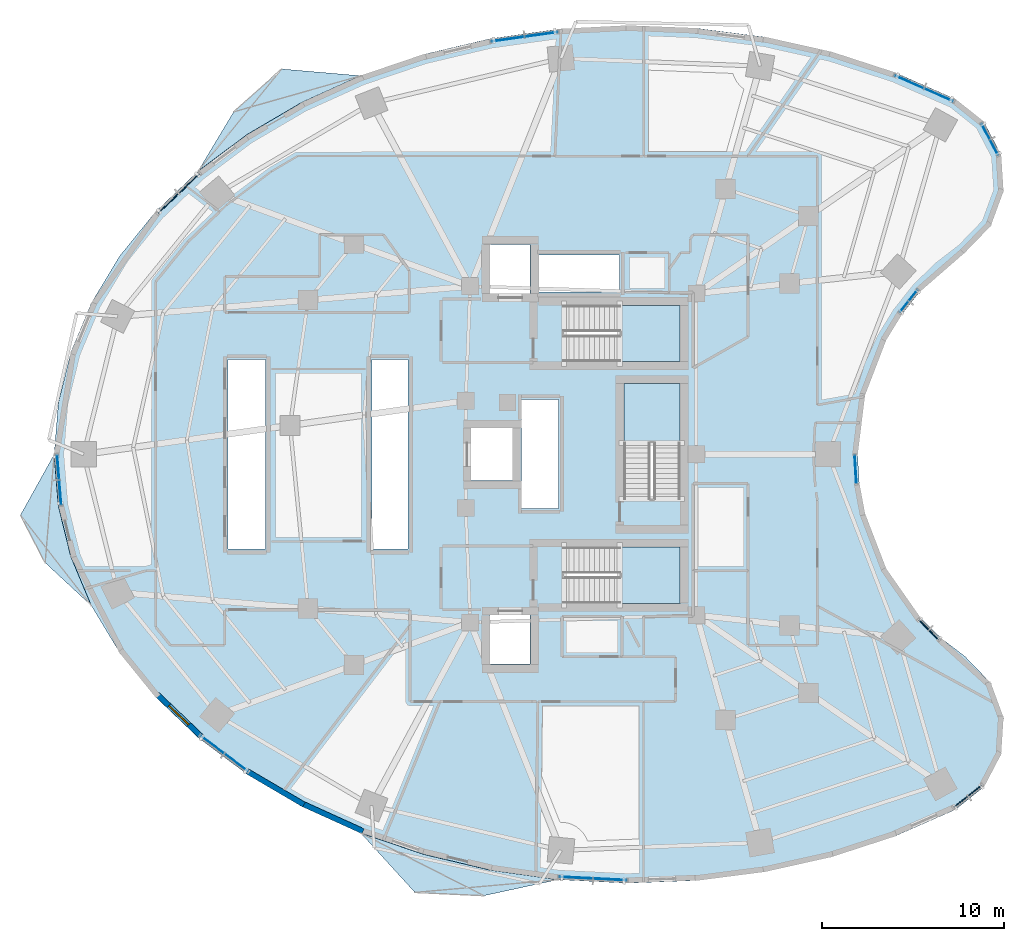
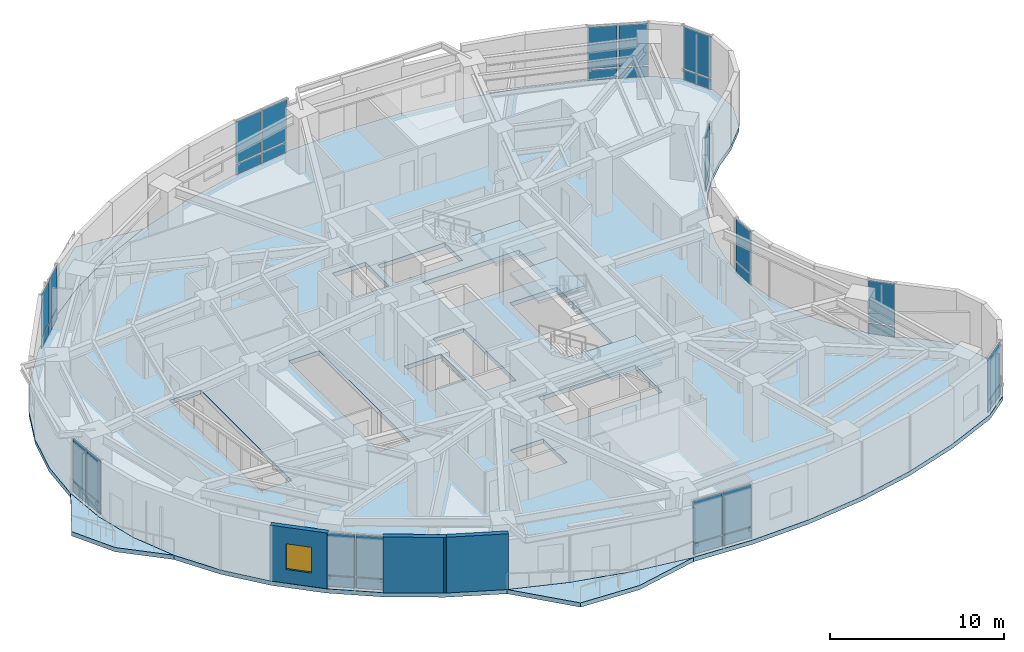
# One storey, part 7 of 15: 34 plates, 7 slabs, 3 walls, 1 window, 1 opening, 14 elements without a shape of their own.
"""IFC4 building model written with IfcOpenShell, lengths in metres."""

from ifc_helpers import new_model, si_unit, direction, frame, frame_2d, origin, origin_2d, place, context, subcontext, project, spatial, polyline, rectangle, outline, extrude, material, layer, layer_set, type_object, element, fill, aggregate, save


model = new_model("IFC4")

# Units and contexts
model_context = context("Model", 3, precision=1e-05, world=origin(), true_north=direction((0.0, 1.0)))
body_context = subcontext(model_context, "Body", "Model", "MODEL_VIEW")
ifc_project = project(units=[si_unit("LENGTHUNIT", "METRE"), si_unit("AREAUNIT", "SQUARE_METRE"), si_unit("VOLUMEUNIT", "CUBIC_METRE"), si_unit("PLANEANGLEUNIT", "RADIAN"), si_unit("MASSUNIT", "GRAM", prefix="KILO")], contexts=[model_context])

# Site, building, storey
site_placement = place(None, origin())
site = spatial("IfcSite", under=ifc_project, at=site_placement, CompositionType="ELEMENT")
building_placement = place(site_placement, origin())
building = spatial("IfcBuilding", under=site, at=building_placement, Name="Korentha Bioscience Tower", CompositionType="ELEMENT")
storey_placement = place(building_placement, frame((0.0, 0.0, 38.39990234375)))
storey = spatial("IfcBuildingStorey", under=building, at=storey_placement, Name="L08", CompositionType="ELEMENT", Elevation=38.39990234375)

# Curtain wall, plates
ifc_material_1 = material(Name="Thermally Broken Aluminium Frame", Category="aluminium")
ifc_layer_1 = layer(ifc_material_1, 0.219970703125, Name="Thermally Broken Aluminium Frame")
ifc_layer_set_1 = layer_set([ifc_layer_1], Name="Thermally Broken Aluminium Frame (CW-T2)")
curtain_wall_type_1 = type_object("IfcCurtainWallType", Name="Solar-Screened Lab Unitised Curtain Wall CW-T2", PredefinedType="USERDEFINED", material=ifc_layer_set_1)
curtain_wall_1_placement = place(storey_placement, origin())
curtain_wall_1 = element("IfcCurtainWall", 1, at=curtain_wall_1_placement, inside=storey, type_object=curtain_wall_type_1, Name="L08 Curtain Wall 01", ObjectType="UNITISED", PredefinedType="USERDEFINED")
ifc_material_2 = material(Name="Triple-Glazed Low-E Insulated Glass", Category="glass")
ifc_layer_2 = layer(ifc_material_2, 0.0439453125, Name="Triple-Glazed Low-E Insulated Glass")
ifc_layer_set_2 = layer_set([ifc_layer_2], Name="Triple-Glazed Low-E Insulated Glass (GL-44)")
plate_type = type_object("IfcPlateType", Name="Glazed Panel 44mm", PredefinedType="CURTAIN_PANEL", material=ifc_layer_set_2)
plate_1_placement = place(storey_placement, frame((50.893310546875, 46.780029296875, 0.08984375), z_axis=(0.0, 0.0, 1.0), x_axis=(-0.91593909057, 0.401317308828, 0.0)))
plate_1 = element("IfcPlate", 2, at=plate_1_placement, type_object=plate_type, Name="CW-L08-01 Bay 1 Glazed Panel 1", PredefinedType="CURTAIN_PANEL", context=body_context, shape_type="SweptSolid", body=[
    extrude(rectangle(XDim=1.701171875, YDim=0.0439453125, at=origin_2d()), origin(), (0.0, 0.0, 1.0), 0.715087890625),
])
plate_2_placement = place(storey_placement, frame((50.893310546875, 46.780029296875, 0.89501953125), z_axis=(0.0, 0.0, 1.0), x_axis=(-0.91593909057, 0.401317308828, 0.0)))
plate_2 = element("IfcPlate", 3, at=plate_2_placement, type_object=plate_type, Name="CW-L08-01 Bay 1 Glazed Panel 2", PredefinedType="CURTAIN_PANEL", context=body_context, shape_type="SweptSolid", body=[
    extrude(rectangle(XDim=1.701171875, YDim=0.0439453125, at=origin_2d()), origin(), (0.0, 0.0, 1.0), 2.9150390625),
])
plate_3_placement = place(storey_placement, frame((49.25244140625, 47.498779296875, 0.08984375), z_axis=(0.0, 0.0, 1.0), x_axis=(-0.91593909057, 0.401317308828, 0.0)))
plate_3 = element("IfcPlate", 4, at=plate_3_placement, type_object=plate_type, Name="CW-L08-01 Bay 2 Glazed Panel 1", PredefinedType="CURTAIN_PANEL", context=body_context, shape_type="SweptSolid", body=[
    extrude(rectangle(XDim=1.701171875, YDim=0.0439453125, at=origin_2d()), origin(), (0.0, 0.0, 1.0), 0.715087890625),
])
plate_4_placement = place(storey_placement, frame((49.25244140625, 47.498779296875, 0.89501953125), z_axis=(0.0, 0.0, 1.0), x_axis=(-0.91593909057, 0.401317308828, 0.0)))
plate_4 = element("IfcPlate", 5, at=plate_4_placement, type_object=plate_type, Name="CW-L08-01 Bay 2 Glazed Panel 2", PredefinedType="CURTAIN_PANEL", context=body_context, shape_type="SweptSolid", body=[
    extrude(rectangle(XDim=1.701171875, YDim=0.0439453125, at=origin_2d()), origin(), (0.0, 0.0, 1.0), 2.9150390625),
])
aggregate(curtain_wall_1, [plate_1, plate_2, plate_3, plate_4])

curtain_wall_2_placement = place(storey_placement, origin())
curtain_wall_2 = element("IfcCurtainWall", 6, at=curtain_wall_2_placement, inside=storey, type_object=curtain_wall_type_1, Name="L08 Curtain Wall 07", ObjectType="UNITISED", PredefinedType="USERDEFINED")
plate_5_placement = place(storey_placement, frame((29.0224609375, 50.11572265625, 0.08984375), z_axis=(0.0, 0.0, 1.0), x_axis=(-0.990167372968, -0.139887717511, 0.0)))
plate_5 = element("IfcPlate", 7, at=plate_5_placement, type_object=plate_type, Name="CW-L08-07 Bay 1 Glazed Panel 1", PredefinedType="CURTAIN_PANEL", context=body_context, shape_type="SweptSolid", body=[
    extrude(rectangle(XDim=1.800537109375, YDim=0.0439453125, at=origin_2d()), origin(), (0.0, 0.0, 1.0), 0.715087890625),
])
plate_6_placement = place(storey_placement, frame((29.0224609375, 50.11572265625, 0.89501953125), z_axis=(0.0, 0.0, 1.0), x_axis=(-0.990167372968, -0.139887717511, 0.0)))
plate_6 = element("IfcPlate", 8, at=plate_6_placement, type_object=plate_type, Name="CW-L08-07 Bay 1 Glazed Panel 2", PredefinedType="CURTAIN_PANEL", context=body_context, shape_type="SweptSolid", body=[
    extrude(rectangle(XDim=1.800537109375, YDim=0.0439453125, at=origin_2d()), origin(), (0.0, 0.0, 1.0), 2.9150390625),
])
plate_7_placement = place(storey_placement, frame((27.150634765625, 49.851318359375, 0.08984375), z_axis=(0.0, 0.0, 1.0), x_axis=(-0.990167372968, -0.139887717511, 0.0)))
plate_7 = element("IfcPlate", 9, at=plate_7_placement, type_object=plate_type, Name="CW-L08-07 Bay 2 Glazed Panel 1", PredefinedType="CURTAIN_PANEL", context=body_context, shape_type="SweptSolid", body=[
    extrude(rectangle(XDim=1.800537109375, YDim=0.0439453125, at=origin_2d()), origin(), (0.0, 0.0, 1.0), 0.715087890625),
])
plate_8_placement = place(storey_placement, frame((27.150634765625, 49.851318359375, 0.89501953125), z_axis=(0.0, 0.0, 1.0), x_axis=(-0.990167372968, -0.139887717511, 0.0)))
plate_8 = element("IfcPlate", 10, at=plate_8_placement, type_object=plate_type, Name="CW-L08-07 Bay 2 Glazed Panel 2", PredefinedType="CURTAIN_PANEL", context=body_context, shape_type="SweptSolid", body=[
    extrude(rectangle(XDim=1.800537109375, YDim=0.0439453125, at=origin_2d()), origin(), (0.0, 0.0, 1.0), 2.9150390625),
])
aggregate(curtain_wall_2, [plate_5, plate_6, plate_7, plate_8])

curtain_wall_3_placement = place(storey_placement, origin())
curtain_wall_3 = element("IfcCurtainWall", 11, at=curtain_wall_3_placement, inside=storey, type_object=curtain_wall_type_1, Name="L08 Curtain Wall 13", ObjectType="UNITISED", PredefinedType="USERDEFINED")
plate_9_placement = place(storey_placement, frame((9.643798828125, 41.9091796875, 0.08984375), z_axis=(0.0, 0.0, 1.0), x_axis=(-0.723641761581, -0.690175775361, 0.0)))
plate_9 = element("IfcPlate", 12, at=plate_9_placement, type_object=plate_type, Name="CW-L08-13 Bay 1 Glazed Panel 1", PredefinedType="CURTAIN_PANEL", context=body_context, shape_type="SweptSolid", body=[
    extrude(rectangle(XDim=1.5263671875, YDim=0.0439453125, at=origin_2d()), origin(), (0.0, 0.0, 1.0), 0.715087890625),
])
plate_10_placement = place(storey_placement, frame((9.643798828125, 41.9091796875, 0.89501953125), z_axis=(0.0, 0.0, 1.0), x_axis=(-0.723641761581, -0.690175775361, 0.0)))
plate_10 = element("IfcPlate", 13, at=plate_10_placement, type_object=plate_type, Name="CW-L08-13 Bay 1 Glazed Panel 2", PredefinedType="CURTAIN_PANEL", context=body_context, shape_type="SweptSolid", body=[
    extrude(rectangle(XDim=1.5263671875, YDim=0.0439453125, at=origin_2d()), origin(), (0.0, 0.0, 1.0), 2.9150390625),
])
plate_11_placement = place(storey_placement, frame((8.47412109375, 40.793701171875, 0.08984375), z_axis=(0.0, 0.0, 1.0), x_axis=(-0.723641761581, -0.690175775361, 0.0)))
plate_11 = element("IfcPlate", 14, at=plate_11_placement, type_object=plate_type, Name="CW-L08-13 Bay 2 Glazed Panel 1", PredefinedType="CURTAIN_PANEL", context=body_context, shape_type="SweptSolid", body=[
    extrude(rectangle(XDim=1.5263671875, YDim=0.0439453125, at=origin_2d()), origin(), (0.0, 0.0, 1.0), 0.715087890625),
])
plate_12_placement = place(storey_placement, frame((8.47412109375, 40.793701171875, 0.89501953125), z_axis=(0.0, 0.0, 1.0), x_axis=(-0.723641761581, -0.690175775361, 0.0)))
plate_12 = element("IfcPlate", 15, at=plate_12_placement, type_object=plate_type, Name="CW-L08-13 Bay 2 Glazed Panel 2", PredefinedType="CURTAIN_PANEL", context=body_context, shape_type="SweptSolid", body=[
    extrude(rectangle(XDim=1.5263671875, YDim=0.0439453125, at=origin_2d()), origin(), (0.0, 0.0, 1.0), 2.9150390625),
])
aggregate(curtain_wall_3, [plate_9, plate_10, plate_11, plate_12])

curtain_wall_4_placement = place(storey_placement, origin())
curtain_wall_4 = element("IfcCurtainWall", 16, at=curtain_wall_4_placement, inside=storey, type_object=curtain_wall_type_1, Name="L08 Curtain Wall 19", ObjectType="UNITISED", PredefinedType="USERDEFINED")
plate_13_placement = place(storey_placement, frame((2.4169921875, 26.302734375, 0.08984375), z_axis=(0.0, 0.0, 1.0), x_axis=(0.080820466375, -0.996728675325, 0.0)))
plate_13 = element("IfcPlate", 17, at=plate_13_placement, type_object=plate_type, Name="CW-L08-19 Bay 1 Glazed Panel 1", PredefinedType="CURTAIN_PANEL", context=body_context, shape_type="SweptSolid", body=[
    extrude(rectangle(XDim=1.324951171875, YDim=0.0439453125, at=origin_2d()), origin(), (0.0, 0.0, 1.0), 0.715087890625),
])
plate_14_placement = place(storey_placement, frame((2.4169921875, 26.302734375, 0.89501953125), z_axis=(0.0, 0.0, 1.0), x_axis=(0.080820466375, -0.996728675325, 0.0)))
plate_14 = element("IfcPlate", 18, at=plate_14_placement, type_object=plate_type, Name="CW-L08-19 Bay 1 Glazed Panel 2", PredefinedType="CURTAIN_PANEL", context=body_context, shape_type="SweptSolid", body=[
    extrude(rectangle(XDim=1.324951171875, YDim=0.0439453125, at=origin_2d()), origin(), (0.0, 0.0, 1.0), 2.9150390625),
])
plate_15_placement = place(storey_placement, frame((2.531494140625, 24.892333984375, 0.08984375), z_axis=(0.0, 0.0, 1.0), x_axis=(0.080820466375, -0.996728675325, 0.0)))
plate_15 = element("IfcPlate", 19, at=plate_15_placement, type_object=plate_type, Name="CW-L08-19 Bay 2 Glazed Panel 1", PredefinedType="CURTAIN_PANEL", context=body_context, shape_type="SweptSolid", body=[
    extrude(rectangle(XDim=1.324951171875, YDim=0.0439453125, at=origin_2d()), origin(), (0.0, 0.0, 1.0), 0.715087890625),
])
plate_16_placement = place(storey_placement, frame((2.531494140625, 24.892333984375, 0.89501953125), z_axis=(0.0, 0.0, 1.0), x_axis=(0.080820466375, -0.996728675325, 0.0)))
plate_16 = element("IfcPlate", 20, at=plate_16_placement, type_object=plate_type, Name="CW-L08-19 Bay 2 Glazed Panel 2", PredefinedType="CURTAIN_PANEL", context=body_context, shape_type="SweptSolid", body=[
    extrude(rectangle(XDim=1.324951171875, YDim=0.0439453125, at=origin_2d()), origin(), (0.0, 0.0, 1.0), 2.9150390625),
])
aggregate(curtain_wall_4, [plate_13, plate_14, plate_15, plate_16])

curtain_wall_5_placement = place(storey_placement, origin())
curtain_wall_5 = element("IfcCurtainWall", 21, at=curtain_wall_5_placement, inside=storey, type_object=curtain_wall_type_1, Name="L08 Curtain Wall 25", ObjectType="UNITISED", PredefinedType="USERDEFINED")
plate_17_placement = place(storey_placement, frame((10.892578125, 11.037109375, 0.08984375), z_axis=(0.0, 0.0, 1.0), x_axis=(0.800797909614, -0.598934644145, 0.0)))
plate_17 = element("IfcPlate", 22, at=plate_17_placement, type_object=plate_type, Name="CW-L08-25 Bay 1 Glazed Panel 1", PredefinedType="CURTAIN_PANEL", context=body_context, shape_type="SweptSolid", body=[
    extrude(rectangle(XDim=1.58544921875, YDim=0.0439453125, at=origin_2d()), origin(), (0.0, 0.0, 1.0), 0.715087890625),
])
plate_18_placement = place(storey_placement, frame((10.892578125, 11.037109375, 0.89501953125), z_axis=(0.0, 0.0, 1.0), x_axis=(0.800797909614, -0.598934644145, 0.0)))
plate_18 = element("IfcPlate", 23, at=plate_18_placement, type_object=plate_type, Name="CW-L08-25 Bay 1 Glazed Panel 2", PredefinedType="CURTAIN_PANEL", context=body_context, shape_type="SweptSolid", body=[
    extrude(rectangle(XDim=1.58544921875, YDim=0.0439453125, at=origin_2d()), origin(), (0.0, 0.0, 1.0), 2.9150390625),
])
plate_19_placement = place(storey_placement, frame((12.234375, 10.033447265625, 0.08984375), z_axis=(0.0, 0.0, 1.0), x_axis=(0.800797909614, -0.598934644145, 0.0)))
plate_19 = element("IfcPlate", 24, at=plate_19_placement, type_object=plate_type, Name="CW-L08-25 Bay 2 Glazed Panel 1", PredefinedType="CURTAIN_PANEL", context=body_context, shape_type="SweptSolid", body=[
    extrude(rectangle(XDim=1.58544921875, YDim=0.0439453125, at=origin_2d()), origin(), (0.0, 0.0, 1.0), 0.715087890625),
])
plate_20_placement = place(storey_placement, frame((12.234375, 10.033447265625, 0.89501953125), z_axis=(0.0, 0.0, 1.0), x_axis=(0.800797909614, -0.598934644145, 0.0)))
plate_20 = element("IfcPlate", 25, at=plate_20_placement, type_object=plate_type, Name="CW-L08-25 Bay 2 Glazed Panel 2", PredefinedType="CURTAIN_PANEL", context=body_context, shape_type="SweptSolid", body=[
    extrude(rectangle(XDim=1.58544921875, YDim=0.0439453125, at=origin_2d()), origin(), (0.0, 0.0, 1.0), 2.9150390625),
])
aggregate(curtain_wall_5, [plate_17, plate_18, plate_19, plate_20])

curtain_wall_6_placement = place(storey_placement, origin())
curtain_wall_6 = element("IfcCurtainWall", 26, at=curtain_wall_6_placement, inside=storey, type_object=curtain_wall_type_1, Name="L08 Curtain Wall 31", ObjectType="UNITISED", PredefinedType="USERDEFINED")
plate_21_placement = place(storey_placement, frame((30.90478515625, 3.70458984375, 0.08984375), z_axis=(0.0, 0.0, 1.0), x_axis=(0.998730551641, -0.050371472279, 0.0)))
plate_21 = element("IfcPlate", 27, at=plate_21_placement, type_object=plate_type, Name="CW-L08-31 Bay 1 Glazed Panel 1", PredefinedType="CURTAIN_PANEL", context=body_context, shape_type="SweptSolid", body=[
    extrude(rectangle(XDim=1.8134765625, YDim=0.0439453125, at=origin_2d()), origin(), (0.0, 0.0, 1.0), 0.715087890625),
])
plate_22_placement = place(storey_placement, frame((30.90478515625, 3.70458984375, 0.89501953125), z_axis=(0.0, 0.0, 1.0), x_axis=(0.998730551641, -0.050371472279, 0.0)))
plate_22 = element("IfcPlate", 28, at=plate_22_placement, type_object=plate_type, Name="CW-L08-31 Bay 1 Glazed Panel 2", PredefinedType="CURTAIN_PANEL", context=body_context, shape_type="SweptSolid", body=[
    extrude(rectangle(XDim=1.8134765625, YDim=0.0439453125, at=origin_2d()), origin(), (0.0, 0.0, 1.0), 2.9150390625),
])
plate_23_placement = place(storey_placement, frame((32.805908203125, 3.608642578125, 0.08984375), z_axis=(0.0, 0.0, 1.0), x_axis=(0.998730551641, -0.050371472279, 0.0)))
plate_23 = element("IfcPlate", 29, at=plate_23_placement, type_object=plate_type, Name="CW-L08-31 Bay 2 Glazed Panel 1", PredefinedType="CURTAIN_PANEL", context=body_context, shape_type="SweptSolid", body=[
    extrude(rectangle(XDim=1.8134765625, YDim=0.0439453125, at=origin_2d()), origin(), (0.0, 0.0, 1.0), 0.715087890625),
])
plate_24_placement = place(storey_placement, frame((32.805908203125, 3.608642578125, 0.89501953125), z_axis=(0.0, 0.0, 1.0), x_axis=(0.998730551641, -0.050371472279, 0.0)))
plate_24 = element("IfcPlate", 30, at=plate_24_placement, type_object=plate_type, Name="CW-L08-31 Bay 2 Glazed Panel 2", PredefinedType="CURTAIN_PANEL", context=body_context, shape_type="SweptSolid", body=[
    extrude(rectangle(XDim=1.8134765625, YDim=0.0439453125, at=origin_2d()), origin(), (0.0, 0.0, 1.0), 2.9150390625),
])
aggregate(curtain_wall_6, [plate_21, plate_22, plate_23, plate_24])

curtain_wall_7_placement = place(storey_placement, origin())
curtain_wall_7 = element("IfcCurtainWall", 31, at=curtain_wall_7_placement, inside=storey, type_object=curtain_wall_type_1, Name="L08 Curtain Wall 37", ObjectType="UNITISED", PredefinedType="USERDEFINED")
plate_25_placement = place(storey_placement, frame((52.4755859375, 8.19140625, 0.08984375), z_axis=(0.0, 0.0, 1.0), x_axis=(0.782287851332, 0.62291710336, 0.0)))
plate_25 = element("IfcPlate", 32, at=plate_25_placement, type_object=plate_type, Name="CW-L08-37 Bay 1 Glazed Panel 1", PredefinedType="CURTAIN_PANEL", context=body_context, shape_type="SweptSolid", body=[
    extrude(rectangle(XDim=1.927734375, YDim=0.0439453125, at=origin_2d()), origin(), (0.0, 0.0, 1.0), 0.715087890625),
])
plate_26_placement = place(storey_placement, frame((52.4755859375, 8.19140625, 0.89501953125), z_axis=(0.0, 0.0, 1.0), x_axis=(0.782287851332, 0.62291710336, 0.0)))
plate_26 = element("IfcPlate", 33, at=plate_26_placement, type_object=plate_type, Name="CW-L08-37 Bay 1 Glazed Panel 2", PredefinedType="CURTAIN_PANEL", context=body_context, shape_type="SweptSolid", body=[
    extrude(rectangle(XDim=1.927734375, YDim=0.0439453125, at=origin_2d()), origin(), (0.0, 0.0, 1.0), 2.9150390625),
])
aggregate(curtain_wall_7, [plate_25, plate_26])

curtain_wall_8_placement = place(storey_placement, origin())
curtain_wall_8 = element("IfcCurtainWall", 34, at=curtain_wall_8_placement, inside=storey, type_object=curtain_wall_type_1, Name="L08 Curtain Wall 43", ObjectType="UNITISED", PredefinedType="USERDEFINED")
plate_27_placement = place(storey_placement, frame((50.333251953125, 17.335693359375, 0.08984375), z_axis=(0.0, 0.0, 1.0), x_axis=(-0.713279246754, 0.700879958445, 0.0)))
plate_27 = element("IfcPlate", 35, at=plate_27_placement, type_object=plate_type, Name="CW-L08-43 Bay 1 Glazed Panel 1", PredefinedType="CURTAIN_PANEL", context=body_context, shape_type="SweptSolid", body=[
    extrude(rectangle(XDim=1.537841796875, YDim=0.0439453125, at=origin_2d()), origin(), (0.0, 0.0, 1.0), 0.715087890625),
])
plate_28_placement = place(storey_placement, frame((50.333251953125, 17.335693359375, 0.89501953125), z_axis=(0.0, 0.0, 1.0), x_axis=(-0.713279246754, 0.700879958445, 0.0)))
plate_28 = element("IfcPlate", 36, at=plate_28_placement, type_object=plate_type, Name="CW-L08-43 Bay 1 Glazed Panel 2", PredefinedType="CURTAIN_PANEL", context=body_context, shape_type="SweptSolid", body=[
    extrude(rectangle(XDim=1.537841796875, YDim=0.0439453125, at=origin_2d()), origin(), (0.0, 0.0, 1.0), 2.9150390625),
])
aggregate(curtain_wall_8, [plate_27, plate_28])

ifc_layer_3 = layer(ifc_material_1, 0.219970703125, Name="Thermally Broken Aluminium Frame")
ifc_layer_set_3 = layer_set([ifc_layer_3], Name="Thermally Broken Aluminium Frame (CW-T1)")
curtain_wall_type_2 = type_object("IfcCurtainWallType", Name="Standard Bioscience Lab Unitised Curtain Wall CW-T1", PredefinedType="USERDEFINED", material=ifc_layer_set_3)
curtain_wall_9_placement = place(storey_placement, origin())
curtain_wall_9 = element("IfcCurtainWall", 37, at=curtain_wall_9_placement, inside=storey, type_object=curtain_wall_type_2, Name="L08 Curtain Wall 49", ObjectType="UNITISED", PredefinedType="USERDEFINED")
plate_29_placement = place(storey_placement, frame((46.305908203125, 26.1728515625, 0.08984375), z_axis=(0.0, 0.0, 1.0), x_axis=(-0.061008272998, 0.998137260413, 0.0)))
plate_29 = element("IfcPlate", 38, at=plate_29_placement, type_object=plate_type, Name="CW-L08-49 Bay 1 Glazed Panel 1", PredefinedType="CURTAIN_PANEL", context=body_context, shape_type="SweptSolid", body=[
    extrude(rectangle(XDim=1.537841796875, YDim=0.0439453125, at=origin_2d()), origin(), (0.0, 0.0, 1.0), 0.715087890625),
])
plate_30_placement = place(storey_placement, frame((46.305908203125, 26.1728515625, 0.89501953125), z_axis=(0.0, 0.0, 1.0), x_axis=(-0.061008272998, 0.998137260413, 0.0)))
plate_30 = element("IfcPlate", 39, at=plate_30_placement, type_object=plate_type, Name="CW-L08-49 Bay 1 Glazed Panel 2", PredefinedType="CURTAIN_PANEL", context=body_context, shape_type="SweptSolid", body=[
    extrude(rectangle(XDim=1.537841796875, YDim=0.0439453125, at=origin_2d()), origin(), (0.0, 0.0, 1.0), 2.9150390625),
])
aggregate(curtain_wall_9, [plate_29, plate_30])

curtain_wall_10_placement = place(storey_placement, origin())
curtain_wall_10 = element("IfcCurtainWall", 40, at=curtain_wall_10_placement, inside=storey, type_object=curtain_wall_type_1, Name="L08 Curtain Wall 55", ObjectType="UNITISED", PredefinedType="USERDEFINED")
plate_31_placement = place(storey_placement, frame((49.226318359375, 35.434814453125, 0.08984375), z_axis=(0.0, 0.0, 1.0), x_axis=(0.622520324648, 0.782603632371, 0.0)))
plate_31 = element("IfcPlate", 41, at=plate_31_placement, type_object=plate_type, Name="CW-L08-55 Bay 1 Glazed Panel 1", PredefinedType="CURTAIN_PANEL", context=body_context, shape_type="SweptSolid", body=[
    extrude(rectangle(XDim=1.537841796875, YDim=0.0439453125, at=origin_2d()), origin(), (0.0, 0.0, 1.0), 0.715087890625),
])
plate_32_placement = place(storey_placement, frame((49.226318359375, 35.434814453125, 0.89501953125), z_axis=(0.0, 0.0, 1.0), x_axis=(0.622520324648, 0.782603632371, 0.0)))
plate_32 = element("IfcPlate", 42, at=plate_32_placement, type_object=plate_type, Name="CW-L08-55 Bay 1 Glazed Panel 2", PredefinedType="CURTAIN_PANEL", context=body_context, shape_type="SweptSolid", body=[
    extrude(rectangle(XDim=1.537841796875, YDim=0.0439453125, at=origin_2d()), origin(), (0.0, 0.0, 1.0), 2.9150390625),
])
aggregate(curtain_wall_10, [plate_31, plate_32])

curtain_wall_11_placement = place(storey_placement, origin())
curtain_wall_11 = element("IfcCurtainWall", 43, at=curtain_wall_11_placement, inside=storey, type_object=curtain_wall_type_1, Name="L08 Curtain Wall 61", ObjectType="UNITISED", PredefinedType="USERDEFINED")
plate_33_placement = place(storey_placement, frame((53.6962890625, 44.32958984375, 0.08984375), z_axis=(0.0, 0.0, 1.0), x_axis=(-0.463008597697, 0.886353788539, 0.0)))
plate_33 = element("IfcPlate", 44, at=plate_33_placement, type_object=plate_type, Name="CW-L08-61 Bay 1 Glazed Panel 1", PredefinedType="CURTAIN_PANEL", context=body_context, shape_type="SweptSolid", body=[
    extrude(rectangle(XDim=1.927734375, YDim=0.0439453125, at=origin_2d()), origin(), (0.0, 0.0, 1.0), 0.715087890625),
])
plate_34_placement = place(storey_placement, frame((53.6962890625, 44.32958984375, 0.89501953125), z_axis=(0.0, 0.0, 1.0), x_axis=(-0.463008597697, 0.886353788539, 0.0)))
plate_34 = element("IfcPlate", 45, at=plate_34_placement, type_object=plate_type, Name="CW-L08-61 Bay 1 Glazed Panel 2", PredefinedType="CURTAIN_PANEL", context=body_context, shape_type="SweptSolid", body=[
    extrude(rectangle(XDim=1.927734375, YDim=0.0439453125, at=origin_2d()), origin(), (0.0, 0.0, 1.0), 2.9150390625),
])
aggregate(curtain_wall_11, [plate_33, plate_34])

# Slab
ifc_material_3 = material(Name="Concrete C50", Category="concrete")
ifc_layer_4 = layer(ifc_material_3, 0.300048828125, Name="Concrete C50")
ifc_layer_set_4 = layer_set([ifc_layer_4], Name="Concrete C50 (SL-L300)")
slab_type_1 = type_object("IfcSlabType", Name="Laboratory Vibration-Controlled Slab 300", PredefinedType="FLOOR", material=ifc_layer_set_4)
slab_1_placement = place(storey_placement, frame((0.0, 0.0, -0.2998046875)))
element("IfcSlab", 46, at=slab_1_placement, inside=storey, type_object=slab_type_1, Name="L08 Tower Structural Floor Slab", PredefinedType="FLOOR", context=body_context, shape_type="SweptSolid", body=[
    extrude(outline(polyline([(51.7822265625, 46.565185546875), (48.49169921875, 48.0068359375), (44.9921875, 49.145263671875), (41.33349609375, 49.9638671875), (37.569091796875, 50.450927734375), (33.75341796875, 50.599365234375), (29.94091796875, 50.406982421875), (26.187255859375, 49.876708984375), (22.54638671875, 49.01611328125), (19.07080078125, 47.837646484375), (15.810791015625, 46.358154296875), (12.8134765625, 44.599365234375), (10.1220703125, 42.58642578125), (7.775390625, 40.348388671875), (5.807373046875, 37.91748046875), (4.246337890625, 35.3291015625), (3.114990234375, 32.62060546875), (2.4296875, 29.830810546875), (2.199951171875, 27.0), (2.4296875, 24.169189453125), (3.114990234375, 21.37939453125), (4.246337890625, 18.6708984375), (5.807373046875, 16.08251953125), (7.775390625, 13.651611328125), (10.1220703125, 11.41357421875), (12.8134765625, 9.400634765625), (15.810791015625, 7.641845703125), (19.07080078125, 6.162353515625), (22.54638671875, 4.98388671875), (26.187255859375, 4.123291015625), (29.94091796875, 3.593017578125), (33.75341796875, 3.400634765625), (37.569091796875, 3.549072265625), (41.33349609375, 4.0361328125), (44.9921875, 4.854736328125), (48.49169921875, 5.9931640625), (51.7822265625, 7.434814453125), (53.368408203125, 8.69775390625), (54.307373046875, 10.4951171875), (54.4384765625, 12.518310546875), (53.739013671875, 14.421630859375), (52.3291015625, 15.878662109375), (51.029541015625, 16.875732421875), (49.861328125, 18.023681640625), (48.841796875, 19.3056640625), (47.98583984375, 20.7021484375), (47.306640625, 22.192626953125), (46.814208984375, 23.754638671875), (46.515625, 25.365234375), (46.415771484375, 27.0), (46.515625, 28.634765625), (46.814208984375, 30.245361328125), (47.306640625, 31.807373046875), (47.98583984375, 33.2978515625), (48.841796875, 34.6943359375), (49.861328125, 35.976318359375), (51.029541015625, 37.124267578125), (52.3291015625, 38.121337890625), (53.739013671875, 39.578369140625), (54.4384765625, 41.481689453125), (54.307373046875, 43.5048828125), (53.368408203125, 45.30224609375), (51.7822265625, 46.565185546875)]), holes=[polyline([(30.25, 32.10009765625), (36.64990234375, 32.10009765625), (36.64990234375, 35.199951171875), (30.25, 35.199951171875), (30.25, 32.10009765625)]), polyline([(30.25, 18.800048828125), (36.64990234375, 18.800048828125), (36.64990234375, 21.89990234375), (30.25, 21.89990234375), (30.25, 18.800048828125)]), polyline([(36.64990234375, 24.550048828125), (36.64990234375, 30.89990234375), (33.550048828125, 30.89990234375), (33.550048828125, 24.550048828125), (36.64990234375, 24.550048828125)]), polyline([(11.780029296875, 21.780029296875), (13.820068359375, 21.780029296875), (13.820068359375, 32.219970703125), (11.780029296875, 32.219970703125), (11.780029296875, 21.780029296875)]), polyline([(19.679931640625, 21.780029296875), (21.669921875, 21.780029296875), (21.669921875, 32.219970703125), (19.679931640625, 32.219970703125), (19.679931640625, 21.780029296875)]), polyline([(27.929931640625, 24.030029296875), (29.969970703125, 24.030029296875), (29.969970703125, 30.02001953125), (27.929931640625, 30.02001953125), (27.929931640625, 24.030029296875)]), polyline([(28.860107421875, 35.93994140625), (33.31005859375, 35.93994140625), (33.31005859375, 37.9599609375), (28.860107421875, 37.9599609375), (28.860107421875, 35.93994140625)]), polyline([(26.199951171875, 15.449951171875), (28.39990234375, 15.449951171875), (28.39990234375, 18.14990234375), (26.199951171875, 18.14990234375), (26.199951171875, 15.449951171875)]), polyline([(26.199951171875, 35.85009765625), (28.39990234375, 35.85009765625), (28.39990234375, 38.550048828125), (26.199951171875, 38.550048828125), (26.199951171875, 35.85009765625)]), polyline([(25.14990234375, 25.550048828125), (27.550048828125, 25.550048828125), (27.550048828125, 28.449951171875), (25.14990234375, 28.449951171875), (25.14990234375, 25.550048828125)])]), origin(), (0.0, 0.0, 1.0), 0.2998046875),
])

# Stair, slab
ifc_material_4 = material(Name="Precast Concrete C50", Category="concrete")
stair_type = type_object("IfcStairType", Name="Core Exit Dog-Leg Stair 1450", PredefinedType="HALF_TURN_STAIR", material=ifc_material_4)
stair_1_placement = place(storey_placement, origin())
stair_1 = element("IfcStair", 47, at=stair_1_placement, inside=storey, type_object=stair_type, Name="L08 Tower North Pressurized Exit Stair ST-1", PredefinedType="HALF_TURN_STAIR")
ifc_layer_5 = layer(ifc_material_3, 0.199951171875, Name="Concrete C50")
ifc_layer_set_5 = layer_set([ifc_layer_5], Name="Concrete C50 (SL-LND)")
slab_type_2 = type_object("IfcSlabType", Name="Landing Slab 200", PredefinedType="LANDING", material=ifc_layer_set_5)
slab_2_placement = place(storey_placement, frame((0.0, 0.0, 1.900146484375)))
slab_2 = element("IfcSlab", 48, at=slab_2_placement, type_object=slab_type_2, Name="ST-1 landing 1", PredefinedType="LANDING", context=body_context, shape_type="SweptSolid", body=[
    extrude(outline(polyline([(33.330078125, 32.10009765625), (36.64990234375, 32.10009765625), (36.64990234375, 35.199951171875), (33.330078125, 35.199951171875), (33.330078125, 32.10009765625)])), origin(), (0.0, 0.0, 1.0), 0.199951171875),
])
aggregate(stair_1, [slab_2])

stair_2_placement = place(storey_placement, origin())
stair_2 = element("IfcStair", 49, at=stair_2_placement, inside=storey, type_object=stair_type, Name="L08 Tower South Pressurized Exit Stair ST-2", PredefinedType="HALF_TURN_STAIR")
slab_3_placement = place(storey_placement, frame((0.0, 0.0, 1.900146484375)))
slab_3 = element("IfcSlab", 50, at=slab_3_placement, type_object=slab_type_2, Name="ST-2 landing 1", PredefinedType="LANDING", context=body_context, shape_type="SweptSolid", body=[
    extrude(outline(polyline([(33.330078125, 18.800048828125), (36.64990234375, 18.800048828125), (36.64990234375, 21.89990234375), (33.330078125, 21.89990234375), (33.330078125, 18.800048828125)])), origin(), (0.0, 0.0, 1.0), 0.199951171875),
])
aggregate(stair_2, [slab_3])

stair_3_placement = place(storey_placement, origin())
stair_3 = element("IfcStair", 51, at=stair_3_placement, inside=storey, type_object=stair_type, Name="L08 Tower Central Pressurized Exit Stair ST-3", PredefinedType="HALF_TURN_STAIR")
slab_4_placement = place(storey_placement, frame((0.0, 0.0, 1.900146484375)))
slab_4 = element("IfcSlab", 52, at=slab_4_placement, type_object=slab_type_2, Name="ST-3 landing 1", PredefinedType="LANDING", context=body_context, shape_type="SweptSolid", body=[
    extrude(outline(polyline([(36.64990234375, 27.6298828125), (36.64990234375, 30.89990234375), (33.550048828125, 30.89990234375), (33.550048828125, 27.6298828125), (36.64990234375, 27.6298828125)])), origin(), (0.0, 0.0, 1.0), 0.199951171875),
])
aggregate(stair_3, [slab_4])

# Slabs
ifc_layer_6 = layer(ifc_material_3, 0.300048828125, Name="Concrete C50")
ifc_layer_set_6 = layer_set([ifc_layer_6], Name="Concrete C50 (BS-240)")
slab_type_3 = type_object("IfcSlabType", Name="Sawtooth Sun-Ledge Balcony Slab 240", PredefinedType="USERDEFINED", material=ifc_layer_set_6)
slab_5_placement = place(storey_placement, frame((0.0, 0.0, -0.2998046875)))
element("IfcSlab", 53, at=slab_5_placement, inside=storey, type_object=slab_type_3, Name="L08 Sun-Ledge Balcony 01", ObjectType="BALCONY", PredefinedType="USERDEFINED", context=body_context, shape_type="SweptSolid", body=[
    extrude(outline(polyline([(10.1220703125, 42.58642578125), (12.8134765625, 44.599365234375), (15.810791015625, 46.358154296875), (19.07080078125, 47.837646484375), (14.72265625, 48.21240234375), (12.07958984375, 45.849853515625), (10.1220703125, 42.58642578125)])), origin(), (0.0, 0.0, 1.0), 0.2998046875),
])
slab_6_placement = place(storey_placement, frame((0.0, 0.0, -0.2998046875)))
element("IfcSlab", 54, at=slab_6_placement, inside=storey, type_object=slab_type_3, Name="L08 Sun-Ledge Balcony 02", ObjectType="BALCONY", PredefinedType="USERDEFINED", context=body_context, shape_type="SweptSolid", body=[
    extrude(outline(polyline([(4.246337890625, 18.6708984375), (3.114990234375, 21.37939453125), (2.4296875, 24.169189453125), (2.199951171875, 27.0), (0.341796875, 23.65625), (1.706787109375, 21.03369140625), (4.246337890625, 18.6708984375)])), origin(), (0.0, 0.0, 1.0), 0.2998046875),
])
slab_7_placement = place(storey_placement, frame((0.0, 0.0, -0.2998046875)))
element("IfcSlab", 55, at=slab_7_placement, inside=storey, type_object=slab_type_3, Name="L08 Sun-Ledge Balcony 03", ObjectType="BALCONY", PredefinedType="USERDEFINED", context=body_context, shape_type="SweptSolid", body=[
    extrude(outline(polyline([(29.94091796875, 3.593017578125), (26.187255859375, 4.123291015625), (22.54638671875, 4.98388671875), (19.07080078125, 6.162353515625), (22.0517578125, 2.8916015625), (25.853759765625, 2.712158203125), (29.94091796875, 3.593017578125)])), origin(), (0.0, 0.0, 1.0), 0.2998046875),
])

# Wall, opening, window
ifc_material_5 = material(Name="Honed Limestone Precast Concrete C40", Category="masonry")
ifc_layer_7 = layer(ifc_material_5, 0.300048828125, Name="Honed Limestone Precast Concrete C40")
ifc_layer_set_7 = layer_set([ifc_layer_7], Name="Honed Limestone Precast Concrete C40 (EW-ST300)")
wall_type = type_object("IfcWallType", Name="Honed Limestone Cavity Spandrel Wall 300", PredefinedType="STANDARD", material=ifc_layer_set_7)
wall_1_placement = place(storey_placement, frame((7.84228515625, 13.808837890625, 0.0), z_axis=(0.0, 0.0, 1.0), x_axis=(0.723678516117, -0.690137236578, 0.0)))
wall_1 = element("IfcWall", 56, at=wall_1_placement, inside=storey, type_object=wall_type, Name="L08 Honed Limestone Spandrel Wall 24", PredefinedType="STANDARD", context=body_context, shape_type="SweptSolid", body=[
    extrude(rectangle(XDim=3.36279296875, YDim=0.300048828125, at=frame_2d((1.681396484375, 0.0))), origin(), (0.0, 0.0, 1.0), 3.900146484375),
])
opening_placement = place(wall_1_placement, frame((0.931396484375, 0.0, 0.949951171875)))
opening = element("IfcOpeningElement", 57, at=opening_placement, cuts=wall_1, Name="Opening WN-02", PredefinedType="OPENING", context=body_context, shape_type="SweptSolid", body=[
    extrude(rectangle(XDim=1.5, YDim=1.800048828125, at=frame_2d((0.75, 0.89990234375))), frame((0.0, 0.1650390625, 0.0), z_axis=(0.0, -1.0, 0.0), x_axis=(1.0, 0.0, 0.0)), (0.0, 0.0, 1.0), 0.329833984375),
])
ifc_material_6 = material(Name="Thermally Broken Aluminium Triple Glazing", Category="aluminium")
window_type = type_object("IfcWindowType", Name="Acoustic Operable Office Window 1500x1800", PartitioningType="DOUBLE_PANEL_VERTICAL", PredefinedType="WINDOW", material=ifc_material_6)
window_placement = place(opening_placement, origin())
window = element("IfcWindow", 58, at=window_placement, inside=storey, type_object=window_type, Name="L08 Facade Window 24", OverallHeight=1.800048828125, OverallWidth=1.5, PartitioningType="DOUBLE_PANEL_VERTICAL", PredefinedType="WINDOW", context=body_context, shape_type="SweptSolid", body=[
    extrude(rectangle(XDim=1.5, YDim=1.800048828125, at=frame_2d((0.75, 0.89990234375))), frame((0.0, 0.030029296875, 0.0), z_axis=(0.0, -1.0, 0.0), x_axis=(1.0, 0.0, 0.0)), (0.0, 0.0, 1.0), 0.06005859375),
])
fill(opening, window)

# Walls
wall_2_placement = place(storey_placement, frame((12.8154296875, 9.56201171875, 0.0), z_axis=(0.0, 0.0, 1.0), x_axis=(0.8624654944, -0.506115867139, 0.0)))
element("IfcWall", 59, at=wall_2_placement, inside=storey, type_object=wall_type, Name="L08 Limestone Perimeter Closure Wall 26", PredefinedType="STANDARD", context=body_context, shape_type="SweptSolid", body=[
    extrude(rectangle(XDim=3.63525390625, YDim=0.300048828125, at=frame_2d((1.817626953125, 0.0))), origin(), (0.0, 0.0, 1.0), 3.900146484375),
])
wall_3_placement = place(storey_placement, frame((15.7958984375, 7.80224609375, 0.0), z_axis=(0.0, 0.0, 1.0), x_axis=(0.910623406862, -0.413237233166, 0.0)))
element("IfcWall", 60, at=wall_3_placement, inside=storey, type_object=wall_type, Name="L08 Limestone Perimeter Closure Wall 27", PredefinedType="STANDARD", context=body_context, shape_type="SweptSolid", body=[
    extrude(rectangle(XDim=3.73974609375, YDim=0.300048828125, at=frame_2d((1.869873046875, 0.0))), origin(), (0.0, 0.0, 1.0), 3.900146484375),
])

save(model, "model.ifc")
